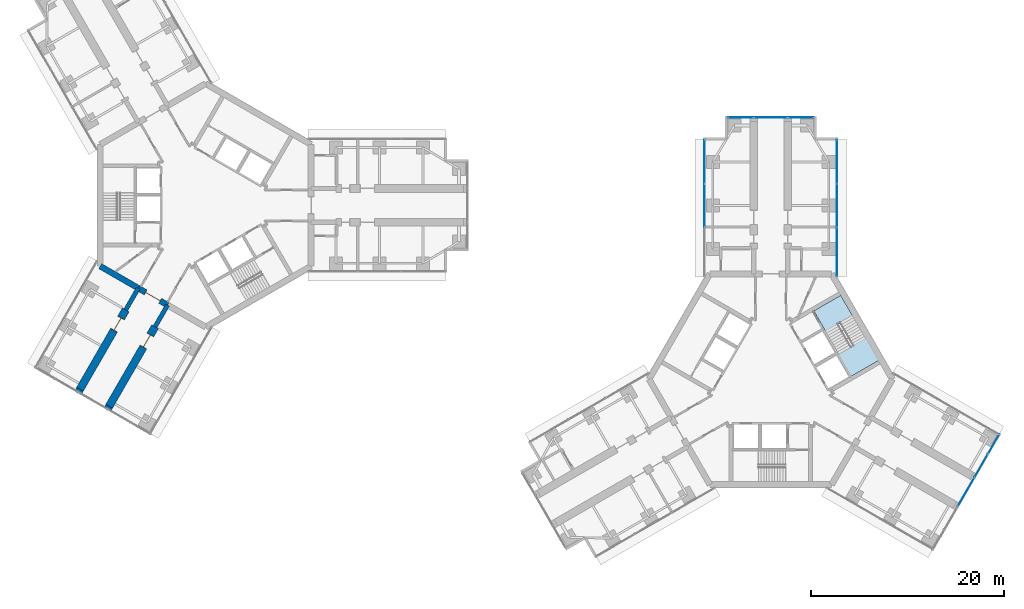
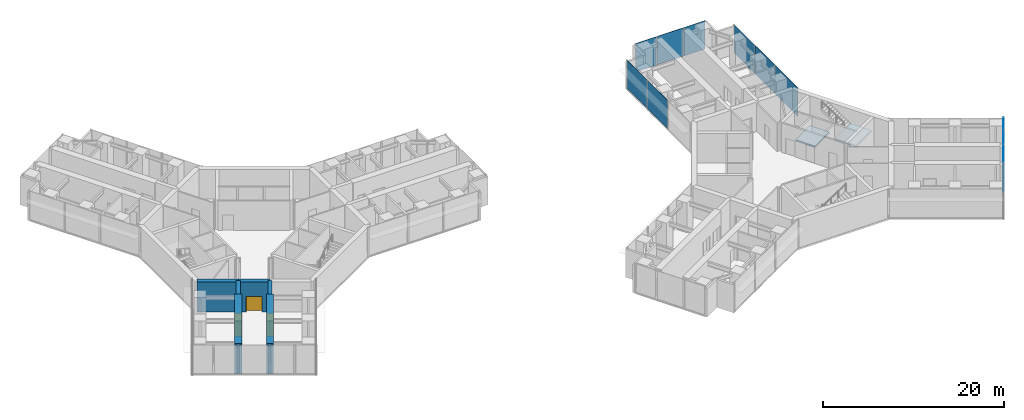
# One storey, part 14 of 21: 11 plates, 8 walls, 3 doors, 2 slabs, 3 openings, 5 elements without a shape of their own.
"""IFC4 building model written with IfcOpenShell, lengths in metres."""

from ifc_helpers import new_model, si_unit, direction, frame, frame_2d, origin, origin_2d, place, context, subcontext, project, spatial, polyline, rectangle, outline, extrude, material, layer, layer_set, type_object, element, fill, aggregate, save


model = new_model("IFC4")

# Units and contexts
model_context = context("Model", 3, precision=1e-05, world=origin(), true_north=direction((0.0, 1.0)))
body_context = subcontext(model_context, "Body", "Model", "MODEL_VIEW")
ifc_project = project(units=[si_unit("LENGTHUNIT", "METRE"), si_unit("AREAUNIT", "SQUARE_METRE"), si_unit("VOLUMEUNIT", "CUBIC_METRE"), si_unit("PLANEANGLEUNIT", "RADIAN"), si_unit("MASSUNIT", "GRAM", prefix="KILO")], contexts=[model_context])

# Site, building, storey
site_placement = place(None, origin())
site = spatial("IfcSite", under=ifc_project, at=site_placement, CompositionType="ELEMENT")
building_placement = place(site_placement, origin())
building = spatial("IfcBuilding", under=site, at=building_placement, Name="Upepo Twin Towers", CompositionType="ELEMENT")
storey_placement = place(building_placement, frame((0.0, 0.0, 109.5)))
storey = spatial("IfcBuildingStorey", under=building, at=storey_placement, Name="L26", CompositionType="ELEMENT", Elevation=109.5)

# Curtain wall, plates
ifc_material_1 = material(Name="Aluminium and fritted glass", Category="aluminium")
curtain_wall_type = type_object("IfcCurtainWallType", Name="Tower curtain wall TW2, fritted glass", PredefinedType="NOTDEFINED", material=ifc_material_1)
curtain_wall_1_placement = place(storey_placement, origin())
curtain_wall_1 = element("IfcCurtainWall", 1, at=curtain_wall_1_placement, inside=storey, type_object=curtain_wall_type, Name="T2 L26 wing A flank L curtain wall", PredefinedType="NOTDEFINED")
ifc_material_2 = material(Name="Ceramic-fritted laminated glass", Category="glass")
ifc_layer_1 = layer(ifc_material_2, 0.031982421875)
ifc_layer_set_1 = layer_set([ifc_layer_1], Name="Fritted glass panel, 35 per cent dot frit, 32 mm double glazed")
plate_type_1 = type_object("IfcPlateType", Name="Fritted glass panel, 35 per cent dot frit, 32 mm double glazed", PredefinedType="CURTAIN_PANEL", material=ifc_layer_set_1)
plate_1_placement = place(storey_placement, frame((51.64990234375, 0.0, 0.14990234375), z_axis=(0.0, 0.0, 1.0), x_axis=(0.0, 1.0, 0.0)))
plate_1 = element("IfcPlate", 2, at=plate_1_placement, type_object=plate_type_1, Name="T2 L26 wing A flank L curtain wall panel 2", PredefinedType="CURTAIN_PANEL", context=body_context, shape_type="SweptSolid", body=[
    extrude(rectangle(XDim=4.43505859375, YDim=0.031982421875, at=origin_2d()), origin(), (0.0, 0.0, 1.0), 3.85009765625),
])
plate_2_placement = place(storey_placement, frame((51.64990234375, 4.53369140625, 0.14990234375), z_axis=(0.0, 0.0, 1.0), x_axis=(0.0, 1.0, 0.0)))
plate_2 = element("IfcPlate", 3, at=plate_2_placement, type_object=plate_type_1, Name="T2 L26 wing A flank L curtain wall panel 3", PredefinedType="CURTAIN_PANEL", context=body_context, shape_type="SweptSolid", body=[
    extrude(rectangle(XDim=4.50244140625, YDim=0.031982421875, at=origin_2d()), origin(), (0.0, 0.0, 1.0), 3.85009765625),
])
aggregate(curtain_wall_1, [plate_1, plate_2])

curtain_wall_2_placement = place(storey_placement, origin())
curtain_wall_2 = element("IfcCurtainWall", 4, at=curtain_wall_2_placement, inside=storey, type_object=curtain_wall_type, Name="T2 L26 wing A flank R curtain wall", PredefinedType="NOTDEFINED")
plate_3_placement = place(storey_placement, frame((65.35009765625, 4.53369140625, 0.14990234375), z_axis=(0.0, 0.0, 1.0), x_axis=(0.0, -1.0, 0.0)))
plate_3 = element("IfcPlate", 5, at=plate_3_placement, type_object=plate_type_1, Name="T2 L26 wing A flank R curtain wall panel 1", PredefinedType="CURTAIN_PANEL", context=body_context, shape_type="SweptSolid", body=[
    extrude(rectangle(XDim=4.50244140625, YDim=0.031982421875, at=origin_2d()), origin(), (0.0, 0.0, 1.0), 3.85009765625),
])
plate_4_placement = place(storey_placement, frame((65.35009765625, 0.0, 0.14990234375), z_axis=(0.0, 0.0, 1.0), x_axis=(0.0, -1.0, 0.0)))
plate_4 = element("IfcPlate", 6, at=plate_4_placement, type_object=plate_type_1, Name="T2 L26 wing A flank R curtain wall panel 2", PredefinedType="CURTAIN_PANEL", context=body_context, shape_type="SweptSolid", body=[
    extrude(rectangle(XDim=4.43505859375, YDim=0.031982421875, at=origin_2d()), origin(), (0.0, 0.0, 1.0), 3.85009765625),
])
plate_5_placement = place(storey_placement, frame((65.35009765625, -4.815185546875, 0.14990234375), z_axis=(0.0, 0.0, 1.0), x_axis=(0.0, -1.0, 0.0)))
plate_5 = element("IfcPlate", 7, at=plate_5_placement, type_object=plate_type_1, Name="T2 L26 wing A flank R curtain wall panel 3", PredefinedType="CURTAIN_PANEL", context=body_context, shape_type="SweptSolid", body=[
    extrude(rectangle(XDim=5.0654296875, YDim=0.031982421875, at=origin_2d()), origin(), (0.0, 0.0, 1.0), 3.85009765625),
])
aggregate(curtain_wall_2, [plate_3, plate_4, plate_5])

# Curtain wall, plate
curtain_wall_3_placement = place(storey_placement, origin())
curtain_wall_3 = element("IfcCurtainWall", 8, at=curtain_wall_3_placement, inside=storey, type_object=curtain_wall_type, Name="T2 L26 wing A nose curtain wall", PredefinedType="NOTDEFINED")
plate_6_placement = place(storey_placement, frame((58.5, 9.10009765625, 0.14990234375), z_axis=(0.0, 0.0, 1.0), x_axis=(-1.0, 0.0, 0.0)))
plate_6 = element("IfcPlate", 9, at=plate_6_placement, type_object=plate_type_1, Name="T2 L26 wing A nose curtain wall panel 2", PredefinedType="CURTAIN_PANEL", context=body_context, shape_type="SweptSolid", body=[
    extrude(rectangle(XDim=3.43505859375, YDim=0.031982421875, at=origin_2d()), origin(), (0.0, 0.0, 1.0), 3.85009765625),
])

# Curtain wall, plates
curtain_wall_4_placement = place(storey_placement, origin())
curtain_wall_4 = element("IfcCurtainWall", 10, at=curtain_wall_4_placement, inside=storey, type_object=curtain_wall_type, Name="T2 L26 wing C nose curtain wall", PredefinedType="NOTDEFINED")
plate_7_placement = place(storey_placement, frame((78.7216796875, -29.675048828125, 0.14990234375), z_axis=(0.0, 0.0, 1.0), x_axis=(0.499999972355, 0.866025419745, 0.0)))
plate_7 = element("IfcPlate", 11, at=plate_7_placement, type_object=plate_type_1, Name="T2 L26 wing C nose curtain wall panel 3", PredefinedType="CURTAIN_PANEL", context=body_context, shape_type="SweptSolid", body=[
    extrude(rectangle(XDim=3.43505859375, YDim=0.031982421875, at=origin_2d()), origin(), (0.0, 0.0, 1.0), 3.85009765625),
])
plate_8_placement = place(storey_placement, frame((80.2841796875, -26.96875, 0.14990234375), z_axis=(0.0, 0.0, 1.0), x_axis=(0.499999972355, 0.866025419745, 0.0)))
plate_8 = element("IfcPlate", 12, at=plate_8_placement, type_object=plate_type_1, Name="T2 L26 wing C nose curtain wall panel 4", PredefinedType="CURTAIN_PANEL", context=body_context, shape_type="SweptSolid", body=[
    extrude(rectangle(XDim=2.68505859375, YDim=0.031982421875, at=origin_2d()), origin(), (0.0, 0.0, 1.0), 3.85009765625),
])

# Plate
ifc_material_3 = material(Name="Clear laminated glass in opening sash", Category="glass")
ifc_layer_2 = layer(ifc_material_3, 0.031982421875)
ifc_layer_set_2 = layer_set([ifc_layer_2], Name="Operable glass panel, 32 mm double glazed")
plate_type_2 = type_object("IfcPlateType", Name="Operable glass panel, 32 mm double glazed", PredefinedType="CURTAIN_PANEL", material=ifc_layer_set_2)
plate_9_placement = place(storey_placement, frame((61.608642578125, 9.10009765625, 0.14990234375), z_axis=(0.0, 0.0, 1.0), x_axis=(-1.0, 0.0, 0.0)))
plate_9 = element("IfcPlate", 13, at=plate_9_placement, type_object=plate_type_2, Name="T2 L26 wing A nose curtain wall panel 1", PredefinedType="CURTAIN_PANEL", context=body_context, shape_type="SweptSolid", body=[
    extrude(rectangle(XDim=2.652587890625, YDim=0.031982421875, at=origin_2d()), origin(), (0.0, 0.0, 1.0), 3.85009765625),
])

plate_10_placement = place(storey_placement, frame((55.391357421875, 9.10009765625, 0.14990234375), z_axis=(0.0, 0.0, 1.0), x_axis=(-1.0, 0.0, 0.0)))
plate_10 = element("IfcPlate", 14, at=plate_10_placement, type_object=plate_type_2, Name="T2 L26 wing A nose curtain wall panel 3", PredefinedType="CURTAIN_PANEL", context=body_context, shape_type="SweptSolid", body=[
    extrude(rectangle(XDim=2.652587890625, YDim=0.031982421875, at=origin_2d()), origin(), (0.0, 0.0, 1.0), 3.85009765625),
])

aggregate(curtain_wall_3, [plate_9, plate_6, plate_10])

plate_11_placement = place(storey_placement, frame((81.576171875, -24.73095703125, 0.14990234375), z_axis=(0.0, 0.0, 1.0), x_axis=(0.499999972355, 0.866025419745, 0.0)))
plate_11 = element("IfcPlate", 15, at=plate_11_placement, type_object=plate_type_2, Name="T2 L26 wing C nose curtain wall panel 5", PredefinedType="CURTAIN_PANEL", context=body_context, shape_type="SweptSolid", body=[
    extrude(rectangle(XDim=2.3525390625, YDim=0.031982421875, at=origin_2d()), origin(), (0.0, 0.0, 1.0), 3.85009765625),
])

aggregate(curtain_wall_4, [plate_7, plate_8, plate_11])

# Stair, slabs
ifc_material_4 = material(Name="Concrete C40/50", Category="concrete")
stair_type = type_object("IfcStairType", Name="Core stair, two flights", PredefinedType="HALF_TURN_STAIR", material=ifc_material_4)
stair_placement = place(storey_placement, origin())
stair = element("IfcStair", 16, at=stair_placement, inside=storey, type_object=stair_type, Name="T2 stair S2 L26", PredefinedType="HALF_TURN_STAIR")
ifc_material_5 = material(Name="Concrete C40/50", Category="concrete")
ifc_layer_3 = layer(ifc_material_5, 0.199951171875)
ifc_layer_set_3 = layer_set([ifc_layer_3], Name="Concrete C40/50")
slab_type = type_object("IfcSlabType", Name="Stair landing 200 RC", PredefinedType="LANDING", material=ifc_layer_set_3)
slab_1_placement = place(storey_placement, frame((0.0, 0.0, -0.199951171875)))
slab_1 = element("IfcSlab", 17, at=slab_1_placement, type_object=slab_type, Name="Stair S2 landing 1", PredefinedType="LANDING", context=body_context, shape_type="SweptSolid", body=[
    extrude(outline(polyline([(64.198486328125, -13.0703125), (66.97705078125, -11.466064453125), (65.737060546875, -9.318359375), (62.95849609375, -10.922607421875), (64.198486328125, -13.0703125)])), origin(), (0.0, 0.0, 1.0), 0.199951171875),
])
slab_2_placement = place(storey_placement, frame((0.0, 0.0, 1.800048828125)))
slab_2 = element("IfcSlab", 18, at=slab_2_placement, type_object=slab_type, Name="Stair S2 landing 2", PredefinedType="LANDING", context=body_context, shape_type="SweptSolid", body=[
    extrude(outline(polyline([(66.77197265625, -17.7275390625), (69.7236328125, -16.0234375), (68.36376953125, -13.667724609375), (65.411865234375, -15.371826171875), (66.77197265625, -17.7275390625)])), origin(), (0.0, 0.0, 1.0), 0.199951171875),
])
aggregate(stair, [slab_1, slab_2])

# Walls
ifc_material_6 = material(Name="Dense concrete blockwork", Category="masonry")
ifc_layer_4 = layer(ifc_material_6, 0.800048828125)
ifc_layer_set_4 = layer_set([ifc_layer_4], Name="Buttress closer 800, blockwork with fire-stopping to the curtain wall")
wall_type_1 = type_object("IfcWallType", Name="Buttress closer 800, blockwork with fire-stopping to the curtain wall", PredefinedType="PARTITIONING", material=ifc_layer_set_4)
for number, where, z_axis, x_axis, name in (
    (19, (-9.984375, -20.793701171875, 0.0), (0.0, 0.0, 1.0), (-0.500342721131, -0.865827443207, 0.0), "T1 L26 wing C buttress closer L"),
    (20, (-13.015625, -19.043701171875, 0.0), (0.0, 0.0, 1.0), (-0.500342721131, -0.865827443207, 0.0), "T1 L26 wing C buttress closer R"),
):
    element("IfcWall", number, at=place(storey_placement, frame(where, z_axis=z_axis, x_axis=x_axis)), inside=storey, type_object=wall_type_1, Name=name, PredefinedType="PARTITIONING", context=body_context, shape_type="SweptSolid", body=[
        extrude(rectangle(XDim=0.249755859375, YDim=0.800048828125, at=frame_2d((0.125, 0.0))), origin(), (0.0, 0.0, 1.0), 3.800048828125),
    ])
ifc_material_7 = material(Name="Concrete C60/75", Category="concrete")
ifc_layer_5 = layer(ifc_material_7, 0.449951171875)
ifc_layer_set_5 = layer_set([ifc_layer_5], Name="Concrete C60/75")
wall_type_2 = type_object("IfcWallType", Name="Buttress wall 450 RC", PredefinedType="SHEAR", material=ifc_layer_set_5)
for number, where, z_axis, x_axis, name in (
    (21, (-3.938720703125, -10.32177734375, 0.0), (0.0, 0.0, 1.0), (-0.499918158782, -0.866072649678, 0.0), "T1 wing C buttress wall L"),
    (22, (-6.9697265625, -8.57177734375, 0.0), (0.0, 0.0, 1.0), (-0.499988811324, -0.866031863473, 0.0), "T1 wing C buttress wall R"),
):
    element("IfcWall", number, at=place(storey_placement, frame(where, z_axis=z_axis, x_axis=x_axis)), inside=storey, type_object=wall_type_2, Name=name, PredefinedType="SHEAR", context=body_context, shape_type="SweptSolid", body=[
        extrude(rectangle(XDim=2.591796875, YDim=0.449951171875, at=frame_2d((1.2958984375, 0.0))), origin(), (0.0, 0.0, 1.0), 4.0),
    ])

# Wall, opening, door
ifc_material_8 = material(Name="Concrete C60/75", Category="concrete")
ifc_layer_6 = layer(ifc_material_8, 0.800048828125)
ifc_layer_set_6 = layer_set([ifc_layer_6], Name="Concrete C60/75")
wall_type_3 = type_object("IfcWallType", Name="Buttress wall 800 RC", PredefinedType="SHEAR", material=ifc_layer_set_6)
wall_1_placement = place(storey_placement, frame((-5.234375, -12.56640625, 0.0), z_axis=(0.0, 0.0, 1.0), x_axis=(-0.499997557548, -0.86602681393, 0.0)))
wall_1 = element("IfcWall", 23, at=wall_1_placement, inside=storey, type_object=wall_type_3, Name="T1 wing C buttress wall L part 2", PredefinedType="SHEAR", context=body_context, shape_type="SweptSolid", body=[
    extrude(rectangle(XDim=9.5, YDim=0.800048828125, at=frame_2d((4.75, 0.0))), origin(), (0.0, 0.0, 1.0), 4.0),
])
opening_1_placement = place(wall_1_placement, frame((0.949951171875, 0.0, 0.0)))
opening_1 = element("IfcOpeningElement", 24, at=opening_1_placement, cuts=wall_1, Name="Opening D13", PredefinedType="OPENING", context=body_context, shape_type="SweptSolid", body=[
    extrude(rectangle(XDim=1.5, YDim=2.10009765625, at=frame_2d((0.75, 1.050048828125))), frame((0.0, 0.409912109375, 0.0), z_axis=(0.0, -1.0, 0.0), x_axis=(1.0, 0.0, 0.0)), (0.0, 0.0, 1.0), 0.820068359375),
])
ifc_material_9 = material(Name="Timber doorset", Category="wood")
door_type_1 = type_object("IfcDoorType", Name="Double door 1500 FD30", OperationType="DOUBLE_DOOR_SINGLE_SWING", PredefinedType="DOOR", material=ifc_material_9)
door_1_placement = place(opening_1_placement, origin())
door_1 = element("IfcDoor", 25, at=door_1_placement, inside=storey, type_object=door_type_1, Name="T1 L26 laboratory prep room door", OperationType="DOUBLE_DOOR_SINGLE_SWING", OverallHeight=2.10009765625, OverallWidth=1.5, PredefinedType="DOOR", context=body_context, shape_type="SweptSolid", body=[
    extrude(rectangle(XDim=1.42, YDim=2.06009765625, at=frame_2d((0.75, 1.030029296875))), frame((0.0, 0.02490234375, 0.0), z_axis=(0.0, -1.0, 0.0), x_axis=(1.0, 0.0, 0.0)), (0.0, 0.0, 1.0), 0.050048828125),
    extrude(rectangle(XDim=0.04, YDim=2.10009765625, at=frame_2d((0.02001953125, 1.050048828125))), frame((0.0, 0.39990234375, 0.0), z_axis=(0.0, -1.0, 0.0), x_axis=(1.0, 0.0, 0.0)), (0.0, 0.0, 1.0), 0.799560546875),
    extrude(rectangle(XDim=0.04, YDim=2.10009765625, at=frame_2d((1.47998046875, 1.050048828125))), frame((0.0, 0.39990234375, 0.0), z_axis=(0.0, -1.0, 0.0), x_axis=(1.0, 0.0, 0.0)), (0.0, 0.0, 1.0), 0.799560546875),
    extrude(rectangle(XDim=1.42, YDim=0.04, at=frame_2d((0.75, 2.080078125))), frame((0.0, 0.39990234375, 0.0), z_axis=(0.0, -1.0, 0.0), x_axis=(1.0, 0.0, 0.0)), (0.0, 0.0, 1.0), 0.799560546875),
])
fill(opening_1, door_1)

wall_2_placement = place(storey_placement, frame((-8.265625, -10.81640625, 0.0), z_axis=(0.0, 0.0, 1.0), x_axis=(-0.499997557548, -0.86602681393, 0.0)))
wall_2 = element("IfcWall", 26, at=wall_2_placement, inside=storey, type_object=wall_type_3, Name="T1 wing C buttress wall R part 2", PredefinedType="SHEAR", context=body_context, shape_type="SweptSolid", body=[
    extrude(rectangle(XDim=9.5, YDim=0.800048828125, at=frame_2d((4.75, 0.0))), origin(), (0.0, 0.0, 1.0), 4.0),
])
opening_2_placement = place(wall_2_placement, frame((0.949951171875, 0.0, 0.0)))
opening_2 = element("IfcOpeningElement", 27, at=opening_2_placement, cuts=wall_2, Name="Opening D13", PredefinedType="OPENING", context=body_context, shape_type="SweptSolid", body=[
    extrude(rectangle(XDim=1.5, YDim=2.10009765625, at=frame_2d((0.75, 1.050048828125))), frame((0.0, 0.409912109375, 0.0), z_axis=(0.0, -1.0, 0.0), x_axis=(1.0, 0.0, 0.0)), (0.0, 0.0, 1.0), 0.820068359375),
])
door_2_placement = place(opening_2_placement, origin())
door_2 = element("IfcDoor", 28, at=door_2_placement, inside=storey, type_object=door_type_1, Name="T1 L26 laboratory prep room door", OperationType="DOUBLE_DOOR_SINGLE_SWING", OverallHeight=2.10009765625, OverallWidth=1.5, PredefinedType="DOOR", context=body_context, shape_type="SweptSolid", body=[
    extrude(rectangle(XDim=1.42, YDim=2.06009765625, at=frame_2d((0.75, 1.030029296875))), frame((0.0, 0.02490234375, 0.0), z_axis=(0.0, -1.0, 0.0), x_axis=(1.0, 0.0, 0.0)), (0.0, 0.0, 1.0), 0.050048828125),
    extrude(rectangle(XDim=0.04, YDim=2.10009765625, at=frame_2d((0.02001953125, 1.050048828125))), frame((0.0, 0.39990234375, 0.0), z_axis=(0.0, -1.0, 0.0), x_axis=(1.0, 0.0, 0.0)), (0.0, 0.0, 1.0), 0.799560546875),
    extrude(rectangle(XDim=0.04, YDim=2.10009765625, at=frame_2d((1.47998046875, 1.050048828125))), frame((0.0, 0.39990234375, 0.0), z_axis=(0.0, -1.0, 0.0), x_axis=(1.0, 0.0, 0.0)), (0.0, 0.0, 1.0), 0.799560546875),
    extrude(rectangle(XDim=1.42, YDim=0.04, at=frame_2d((0.75, 2.080078125))), frame((0.0, 0.39990234375, 0.0), z_axis=(0.0, -1.0, 0.0), x_axis=(1.0, 0.0, 0.0)), (0.0, 0.0, 1.0), 0.799560546875),
])
fill(opening_2, door_2)

# Wall
ifc_material_10 = material(Name="Concrete C60/75", Category="concrete")
ifc_layer_7 = layer(ifc_material_10, 0.60009765625)
ifc_layer_set_7 = layer_set([ifc_layer_7], Name="Concrete C60/75")
wall_type_4 = type_object("IfcWallType", Name="Core wall 600 RC", PredefinedType="SHEAR", material=ifc_layer_set_7)
wall_3_placement = place(storey_placement, frame((-10.908447265625, -6.2978515625, 0.0), z_axis=(0.0, 0.0, 1.0), x_axis=(0.866034513004, -0.499984222037, 0.0)))
element("IfcWall", 29, at=wall_3_placement, inside=storey, type_object=wall_type_4, Name="T1 core wall 240 R", PredefinedType="SHEAR", context=body_context, shape_type="SweptSolid", body=[
    extrude(rectangle(XDim=4.548095703125, YDim=0.60009765625, at=frame_2d((2.27392578125, 0.0))), origin(), (0.0, 0.0, 1.0), 4.0),
])

# Wall, opening, door
wall_4_placement = place(storey_placement, frame((-6.9697265625, -8.57177734375, 0.0), z_axis=(0.0, 0.0, 1.0), x_axis=(0.866019471182, -0.500010275428, 0.0)))
wall_4 = element("IfcWall", 30, at=wall_4_placement, inside=storey, type_object=wall_type_4, Name="T1 core wall 240", PredefinedType="SHEAR", context=body_context, shape_type="SweptSolid", body=[
    extrude(rectangle(XDim=3.5, YDim=0.60009765625, at=frame_2d((1.75, 0.0))), origin(), (0.0, 0.0, 1.0), 4.0),
])
opening_3_placement = place(wall_4_placement, frame((0.85009765625, 0.0, 0.0)))
opening_3 = element("IfcOpeningElement", 31, at=opening_3_placement, cuts=wall_4, Name="Opening D2", PredefinedType="OPENING", context=body_context, shape_type="SweptSolid", body=[
    extrude(rectangle(XDim=1.800048828125, YDim=2.10009765625, at=frame_2d((0.89990234375, 1.050048828125))), frame((0.0, 0.31005859375, 0.0), z_axis=(0.0, -1.0, 0.0), x_axis=(1.0, 0.0, 0.0)), (0.0, 0.0, 1.0), 0.6201171875),
])
ifc_material_11 = material(Name="Timber doorset", Category="wood")
door_type_2 = type_object("IfcDoorType", Name="Corridor double door 1800 FD60", OperationType="DOUBLE_DOOR_DOUBLE_SWING", PredefinedType="DOOR", material=ifc_material_11)
door_3_placement = place(opening_3_placement, origin())
door_3 = element("IfcDoor", 32, at=door_3_placement, inside=storey, type_object=door_type_2, Name="T1 L26 wing C corridor door", OperationType="DOUBLE_DOOR_DOUBLE_SWING", OverallHeight=2.10009765625, OverallWidth=1.800048828125, PredefinedType="DOOR", context=body_context, shape_type="SweptSolid", body=[
    extrude(rectangle(XDim=1.720048828125, YDim=2.06009765625, at=frame_2d((0.89990234375, 1.030029296875))), frame((0.0, 0.02490234375, 0.0), z_axis=(0.0, -1.0, 0.0), x_axis=(1.0, 0.0, 0.0)), (0.0, 0.0, 1.0), 0.050048828125),
    extrude(rectangle(XDim=0.04, YDim=2.10009765625, at=frame_2d((0.02001953125, 1.050048828125))), frame((0.0, 0.2998046875, 0.0), z_axis=(0.0, -1.0, 0.0), x_axis=(1.0, 0.0, 0.0)), (0.0, 0.0, 1.0), 0.599609375),
    extrude(rectangle(XDim=0.04, YDim=2.10009765625, at=frame_2d((1.780029296875, 1.050048828125))), frame((0.0, 0.2998046875, 0.0), z_axis=(0.0, -1.0, 0.0), x_axis=(1.0, 0.0, 0.0)), (0.0, 0.0, 1.0), 0.599609375),
    extrude(rectangle(XDim=1.720048828125, YDim=0.04, at=frame_2d((0.89990234375, 2.080078125))), frame((0.0, 0.2998046875, 0.0), z_axis=(0.0, -1.0, 0.0), x_axis=(1.0, 0.0, 0.0)), (0.0, 0.0, 1.0), 0.599609375),
])
fill(opening_3, door_3)

save(model, "model.ifc")
